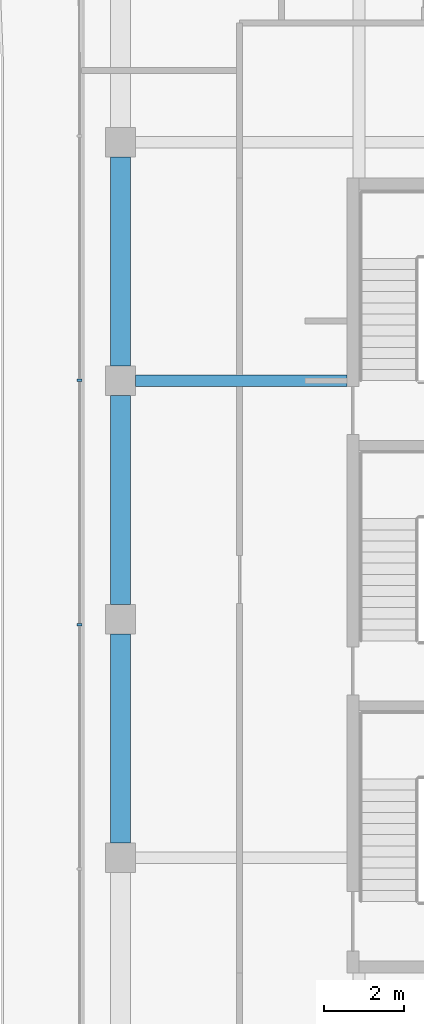
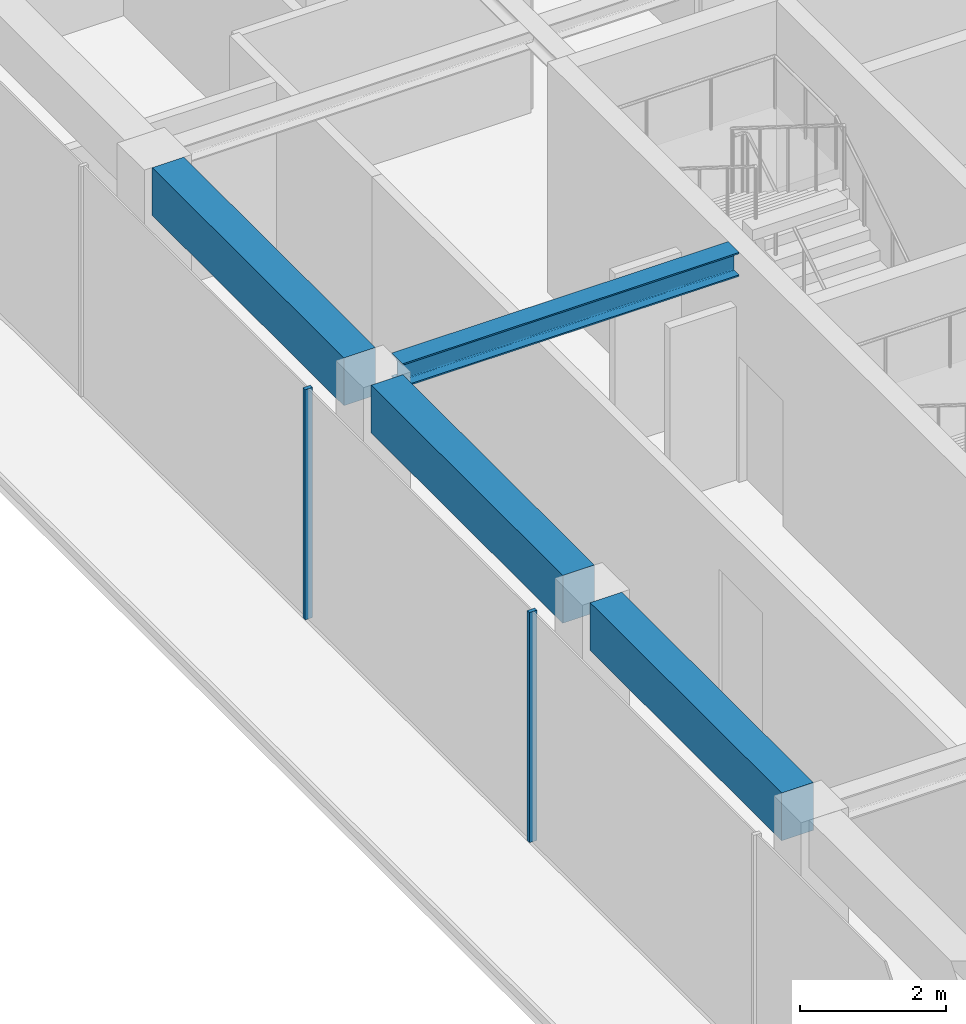
# One storey, part 4 of 20: 4 beams, 2 members, 1 element without a shape of its own.
"""IFC4 building model written with IfcOpenShell, lengths in metres."""

from ifc_helpers import new_model, si_unit, direction, frame, origin, origin_2d, place, context, subcontext, project, spatial, rectangle, i_section, extrude, material, layer, layer_set, material_profile, profile_set, type_object, element, aggregate, save


model = new_model("IFC4")

# Units and contexts
model_context = context("Model", 3, precision=1e-05, world=origin(), true_north=direction((0.0, 1.0)))
body_context = subcontext(model_context, "Body", "Model", "MODEL_VIEW")
ifc_project = project(units=[si_unit("LENGTHUNIT", "METRE"), si_unit("AREAUNIT", "SQUARE_METRE"), si_unit("VOLUMEUNIT", "CUBIC_METRE"), si_unit("PLANEANGLEUNIT", "RADIAN"), si_unit("MASSUNIT", "GRAM", prefix="KILO")], contexts=[model_context])

# Site, building, storey
site_placement = place(None, origin())
site = spatial("IfcSite", under=ifc_project, at=site_placement, CompositionType="ELEMENT")
building_placement = place(site_placement, origin())
building = spatial("IfcBuilding", under=site, at=building_placement, Name="Welwitschia Terrace Campus", CompositionType="ELEMENT")
storey_placement = place(building_placement, frame((0.0, 0.0, 297.800048828125)))
storey = spatial("IfcBuildingStorey", under=building, at=storey_placement, Name="L66", CompositionType="ELEMENT", Elevation=297.800048828125)

# Curtain wall, members
ifc_material_1 = material(Name="Bronze anodised aluminium", Category="aluminium")
ifc_layer = layer(ifc_material_1, 0.1201171875)
ifc_layer_set = layer_set([ifc_layer], Name="Bronze anodised aluminium")
curtain_wall_type = type_object("IfcCurtainWallType", Name="Curtain wall CW2 tower 6000", PredefinedType="NOTDEFINED", material=ifc_layer_set)
curtain_wall_placement = place(storey_placement, origin())
curtain_wall = element("IfcCurtainWall", 1, at=curtain_wall_placement, inside=storey, type_object=curtain_wall_type, Name="CW L66.9.0", PredefinedType="NOTDEFINED")
ifc_material_2 = material(Name="Bronze anodised aluminium", Category="aluminium")
ifc_material_profile_1 = material_profile(ifc_material_2, rectangle(XDim=0.1201171875, YDim=0.06005859375, at=origin_2d()))
ifc_profile_set_1 = profile_set([ifc_material_profile_1], Name="Bronze anodised aluminium")
member_type = type_object("IfcMemberType", Name="Mullion 60x120", PredefinedType="MULLION", material=ifc_profile_set_1)
member_1_placement = place(storey_placement, frame((-1.030029296875, 20.01025390625, 0.0), z_axis=(0.0, 0.0, 1.0), x_axis=(1.0, 0.0, 0.0)))
member_1 = element("IfcMember", 2, at=member_1_placement, type_object=member_type, Name="Mullion L66.9.0.7", PredefinedType="MULLION", context=body_context, shape_type="SweptSolid", body=[
    extrude(rectangle(XDim=0.1201171875, YDim=0.06005859375, at=origin_2d()), origin(), (0.0, 0.0, 1.0), 3.849853515625),
])
member_2_placement = place(storey_placement, frame((-1.030029296875, 13.86474609375, 0.0), z_axis=(0.0, 0.0, 1.0), x_axis=(1.0, 0.0, 0.0)))
member_2 = element("IfcMember", 3, at=member_2_placement, type_object=member_type, Name="Mullion L66.9.0.8", PredefinedType="MULLION", context=body_context, shape_type="SweptSolid", body=[
    extrude(rectangle(XDim=0.1201171875, YDim=0.06005859375, at=origin_2d()), origin(), (0.0, 0.0, 1.0), 3.849853515625),
])
aggregate(curtain_wall, [member_1, member_2])

# Beams
ifc_material_3 = material(Name="Steel S355", Category="steel")
ifc_material_profile_2 = material_profile(ifc_material_3, i_section(OverallWidth=0.300048828125, OverallDepth=0.39990234375, WebThickness=0.013427734375, FlangeThickness=0.02392578125, FilletRadius=0.027099609375, at=origin_2d()))
ifc_profile_set_2 = profile_set([ifc_material_profile_2], Name="Steel S355")
beam_type_1 = type_object("IfcBeamType", Name="Primary beam HE 400 B", PredefinedType="BEAM", material=ifc_profile_set_2)
beam_placement = place(storey_placement, frame((0.37548828125, 20.0, 3.64990234375), z_axis=(1.0, 0.0, 0.0), x_axis=(0.0, 1.0, 0.0)))
element("IfcBeam", 4, at=beam_placement, inside=storey, type_object=beam_type_1, Name="Primary beam PB6", PredefinedType="BEAM", context=body_context, shape_type="SweptSolid", body=[
    extrude(i_section(OverallWidth=0.300048828125, OverallDepth=0.39990234375, WebThickness=0.013427734375, FlangeThickness=0.02392578125, FilletRadius=0.027099609375, at=origin_2d()), origin(), (0.0, 0.0, 1.0), 5.324462890625),
])
ifc_material_4 = material(Name="Concrete C50/60", Category="concrete")
ifc_material_profile_3 = material_profile(ifc_material_4, rectangle(XDim=0.5, YDim=0.800048828125, at=origin_2d()))
ifc_profile_set_3 = profile_set([ifc_material_profile_3], Name="Concrete C50/60")
beam_type_2 = type_object("IfcBeamType", Name="Ring spandrel 500x800", PredefinedType="SPANDREL", material=ifc_profile_set_3)
for number, where, z_axis, x_axis, name in (
    (5, (0.0, 25.62451171875, 3.449951171875), (0.0, -1.0, 0.0), (1.0, 0.0, 0.0), "Spandrel SP4"),
    (6, (0.0, 19.62451171875, 3.449951171875), (0.0, -1.0, 0.0), (1.0, 0.0, 0.0), "Spandrel SP4"),
    (7, (0.0, 13.62451171875, 3.449951171875), (0.0, -1.0, 0.0), (1.0, 0.0, 0.0), "Spandrel SP4"),
):
    element("IfcBeam", number, at=place(storey_placement, frame(where, z_axis=z_axis, x_axis=x_axis)), inside=storey, type_object=beam_type_2, Name=name, PredefinedType="SPANDREL", context=body_context, shape_type="SweptSolid", body=[
        extrude(rectangle(XDim=0.5, YDim=0.800048828125, at=origin_2d()), origin(), (0.0, 0.0, 1.0), 5.2490234375),
    ])

save(model, "model.ifc")
